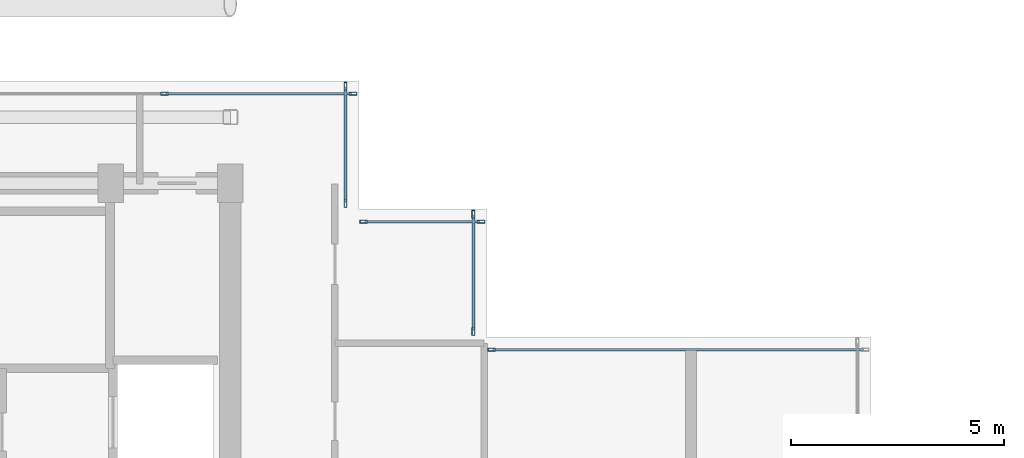
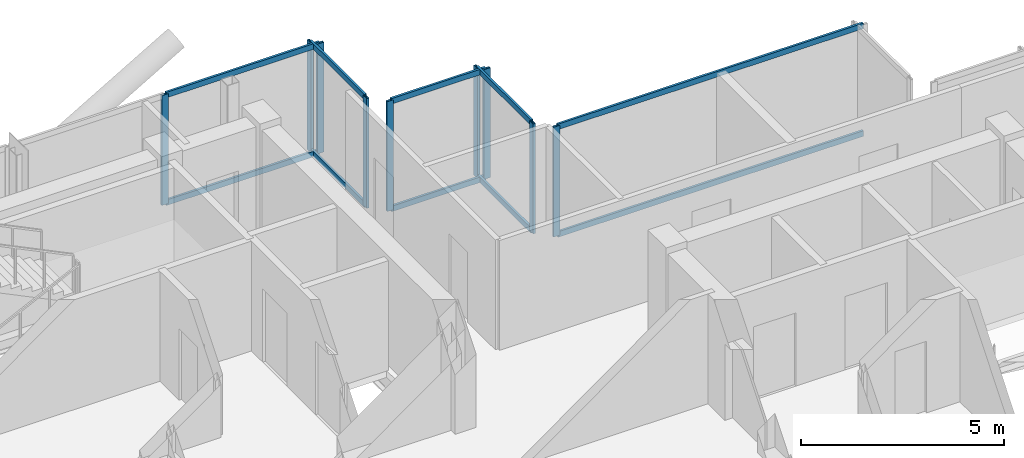
# One storey, part 10 of 18: 19 members, 5 elements without a shape of their own.
"""IFC4 building model written with IfcOpenShell, lengths in metres."""

import ifcopenshell
import ifcopenshell.guid

model = None  # the IFC model being written
_history = None  # IfcOwnerHistory: only IFC2X3 demands one
_inside = {}  # id of a spatial element -> (the spatial element, [elements in it])
_under = {}  # id of a project, library or spatial element -> (it, [spatial elements below it])
_declared = {}  # id of a project -> (the project, [libraries it declares])
_typed = {}  # id of a type object -> (the type object, [elements of that type])
_made_of = {}  # id of a material, layer set ... -> (it, [elements and type objects made of it])


def new_model(schema):
    """Start an empty IFC model of exactly this schema.

    Asked for "IFC4X3", IfcOpenShell would pick the latest addendum, in which some entities
    have other attributes; the version numbers below select the first issue.
    IFC2X3 requires an IfcOwnerHistory on every rooted entity: one is made here for all.
    """
    global model, _history
    if schema == "IFC4X3":
        model = ifcopenshell.file(schema_version=(4, 3, 0, 0))
    else:
        model = ifcopenshell.file(schema=schema)
    _inside.clear()
    _under.clear()
    _declared.clear()
    _typed.clear()
    _made_of.clear()
    _history = None
    if model.schema == "IFC2X3":
        org = make("IfcOrganization", Name="unknown")
        user = make(
            "IfcPersonAndOrganization",
            ThePerson=make("IfcPerson", FamilyName="unknown"),
            TheOrganization=org,
        )
        app = make(
            "IfcApplication",
            ApplicationDeveloper=org,
            Version="unknown",
            ApplicationFullName="unknown",
            ApplicationIdentifier="unknown",
        )
        _history = make(
            "IfcOwnerHistory",
            OwningUser=user,
            OwningApplication=app,
            ChangeAction="ADDED",
            CreationDate=0,
        )
    return model


def make(cls, **values):
    """One entity of the class cls with the attributes given. An attribute that is None is left unset."""
    return model.create_entity(
        cls, **{name: value for name, value in values.items() if value is not None}
    )


def rooted(cls, **values):
    """An entity with a GlobalId (a new one), such as an element, a storey or a relation."""
    return make(cls, GlobalId=ifcopenshell.guid.new(), OwnerHistory=_history, **values)


def si_unit(unit_type, name, prefix=None):
    """IfcSIUnit, for example si_unit("LENGTHUNIT", "METRE", prefix="MILLI")."""
    return make("IfcSIUnit", UnitType=unit_type, Prefix=prefix, Name=name)


def assignment(units):
    """IfcUnitAssignment: the units of a project."""
    return None if units is None else make("IfcUnitAssignment", Units=units)


def point(xyz):
    """IfcCartesianPoint."""
    return None if xyz is None else make("IfcCartesianPoint", Coordinates=xyz)


def direction(xyz):
    """IfcDirection."""
    return None if xyz is None else make("IfcDirection", DirectionRatios=xyz)


def frame(location, z_axis=None, x_axis=None):
    """IfcAxis2Placement3D, a coordinate frame: its origin and axes. An axis left out is left unset."""
    return make(
        "IfcAxis2Placement3D",
        Location=point(location),
        Axis=direction(z_axis),
        RefDirection=direction(x_axis),
    )


def frame_2d(location, x_axis=None):
    """IfcAxis2Placement2D, a coordinate frame in the plane: its origin and x axis."""
    return make(
        "IfcAxis2Placement2D", Location=point(location), RefDirection=direction(x_axis)
    )


def origin():
    """The frame at (0, 0, 0) with its axes left unset."""
    return frame((0.0, 0.0, 0.0))


def origin_2d():
    """The frame at (0, 0) in the plane with its x axis left unset."""
    return frame_2d((0.0, 0.0))


def place(relative_to, where):
    """IfcLocalPlacement: puts the frame where relative to a parent placement (None: the world)."""
    return make(
        "IfcLocalPlacement", PlacementRelTo=relative_to, RelativePlacement=where
    )


def context(
    kind, dimensions, precision=None, world=None, true_north=None, identifier=None
):
    """IfcGeometricRepresentationContext, for example the 3D "Model" context."""
    return make(
        "IfcGeometricRepresentationContext",
        ContextIdentifier=identifier,
        ContextType=kind,
        CoordinateSpaceDimension=dimensions,
        Precision=precision,
        WorldCoordinateSystem=world,
        TrueNorth=true_north,
    )


def subcontext(parent, identifier, kind, view, scale=None):
    """IfcGeometricRepresentationSubContext, for example "Body" below "Model"."""
    return make(
        "IfcGeometricRepresentationSubContext",
        ContextIdentifier=identifier,
        ContextType=kind,
        ParentContext=parent,
        TargetScale=scale,
        TargetView=view,
    )


def project(units=None, contexts=None):
    """IfcProject with its units and contexts."""
    return rooted(
        "IfcProject",
        Name="project",
        RepresentationContexts=contexts,
        UnitsInContext=assignment(units),
    )


def spatial(cls, under=None, at=None, **own):
    """A site, building, storey or space (cls), placed at a placement, below another one or the project."""
    s = rooted(cls, ObjectPlacement=at, **own)
    if under is not None:
        _under.setdefault(under.id(), (under, []))[1].append(s)
    return s


def profile(cls, at=None, kind="AREA", **sizes):
    """A parametric profile (cls). Its sizes go by their IFC names, for example OverallWidth=200.0."""
    return make(cls, ProfileType=kind, Position=at, **sizes)


def hollow_rectangle(**sizes):
    """IfcRectangleHollowProfileDef."""
    return profile("IfcRectangleHollowProfileDef", **sizes)


def extrude(swept, where, along, depth):
    """IfcExtrudedAreaSolid: the profile swept, set in the frame where, extruded along a direction by depth."""
    return make(
        "IfcExtrudedAreaSolid",
        SweptArea=swept,
        Position=where,
        ExtrudedDirection=direction(along),
        Depth=depth,
    )


def shape(context_of_items, identifier, shape_type, items):
    """IfcShapeRepresentation: the items that make up one representation, for example the "Body"."""
    return make(
        "IfcShapeRepresentation",
        ContextOfItems=context_of_items,
        RepresentationIdentifier=identifier,
        RepresentationType=shape_type,
        Items=items,
    )


def material(Name=None, Category=None):
    """IfcMaterial."""
    return make("IfcMaterial", Name=Name, Category=Category)


def layer(
    of_material, thickness, ventilated=None, Name=None, Category=None, Priority=None
):
    """IfcMaterialLayer: one layer of a wall or slab, of a material (None: an air gap)."""
    return make(
        "IfcMaterialLayer",
        Material=of_material,
        LayerThickness=thickness,
        IsVentilated=ventilated,
        Name=Name,
        Category=Category,
        Priority=Priority,
    )


def layer_set(layers, Name=None):
    """IfcMaterialLayerSet."""
    return make("IfcMaterialLayerSet", MaterialLayers=layers, LayerSetName=Name)


def material_profile(
    of_material, cross_section, Name=None, Category=None, Priority=None
):
    """IfcMaterialProfile: a cross section and its material."""
    return make(
        "IfcMaterialProfile",
        Name=Name,
        Material=of_material,
        Profile=cross_section,
        Priority=Priority,
        Category=Category,
    )


def profile_set(profiles, Name=None, composite=None):
    """IfcMaterialProfileSet."""
    return make(
        "IfcMaterialProfileSet",
        Name=Name,
        MaterialProfiles=profiles,
        CompositeProfile=composite,
    )


def made_of(thing, what):
    """Note that an element or type object is made of a material, layer set ...; save() writes the relation."""
    if what is not None:
        _made_of.setdefault(what.id(), (what, []))[1].append(thing)
    return thing


def type_object(cls, material=None, **own):
    """A type object (cls), such as IfcWallType, which elements share."""
    return made_of(rooted(cls, **own), material)


def element(
    cls,
    number,
    at=None,
    inside=None,
    cuts=None,
    type_object=None,
    material=None,
    context=None,
    identifier="Body",
    shape_type=None,
    held_by="IfcProductDefinitionShape",
    body=None,
    shapes=None,
    **own,
):
    """One element of the class cls, such as IfcWall. Its Tag is "e" and its number.

    at: its placement. inside: the storey or other place that contains it. cuts: it is an
    opening in that element (IfcRelVoidsElement). A single representation is given by context,
    identifier, shape_type and body (its items); several are given by shapes. held_by: the class
    of the entity that holds the representations. save() writes the other relations.
    """
    e = rooted(cls, Tag="e%d" % number, ObjectPlacement=at, **own)
    if body is not None:
        shapes = [shape(context, identifier, shape_type, body)]
    if shapes is not None:
        e.Representation = make(held_by, Representations=shapes)
    if inside is not None:
        _inside.setdefault(inside.id(), (inside, []))[1].append(e)
    if cuts is not None:
        rooted(
            "IfcRelVoidsElement", RelatingBuildingElement=cuts, RelatedOpeningElement=e
        )
    if type_object is not None:
        _typed.setdefault(type_object.id(), (type_object, []))[1].append(e)
    return made_of(e, material)


def aggregate(whole, parts):
    """IfcRelAggregates: a whole, such as a stair, and the parts it consists of."""
    return rooted("IfcRelAggregates", RelatingObject=whole, RelatedObjects=parts)


def save(model, path):
    """Write the relations noted so far, then the file.

    IfcRelAggregates (storeys below a building ...), IfcRelContainedInSpatialStructure (elements
    in a storey), IfcRelDefinesByType, IfcRelAssociatesMaterial and IfcRelDeclares: one each for
    every whole, place, type object, material and project.
    """
    for whole, parts in _under.values():
        aggregate(whole, parts)
    for where, things in _inside.values():
        rooted(
            "IfcRelContainedInSpatialStructure",
            RelatedElements=things,
            RelatingStructure=where,
        )
    for kind, things in _typed.values():
        rooted("IfcRelDefinesByType", RelatedObjects=things, RelatingType=kind)
    for what, things in _made_of.values():
        rooted("IfcRelAssociatesMaterial", RelatedObjects=things, RelatingMaterial=what)
    for by, libraries in _declared.values():
        rooted("IfcRelDeclares", RelatingContext=by, RelatedDefinitions=libraries)
    model.write(path)


model = new_model("IFC4")

# Units and contexts
model_context = context("Model", 3, precision=1e-05, world=origin(), true_north=direction((0.0, 1.0)))
body_context = subcontext(model_context, "Body", "Model", "MODEL_VIEW")
ifc_project = project(units=[si_unit("LENGTHUNIT", "METRE"), si_unit("AREAUNIT", "SQUARE_METRE"), si_unit("VOLUMEUNIT", "CUBIC_METRE"), si_unit("PLANEANGLEUNIT", "RADIAN"), si_unit("MASSUNIT", "GRAM", prefix="KILO"), si_unit("THERMODYNAMICTEMPERATUREUNIT", "KELVIN"), si_unit("POWERUNIT", "WATT")], contexts=[model_context])

# Site, building, storey
site_placement = place(None, origin())
site = spatial("IfcSite", under=ifc_project, at=site_placement, CompositionType="ELEMENT")
building_placement = place(site_placement, origin())
building = spatial("IfcBuilding", under=site, at=building_placement, Name="Svarakhadi Broadcast Tower", CompositionType="ELEMENT")
storey_placement = place(building_placement, frame((0.0, 0.0, 288.699951171875)))
storey = spatial("IfcBuildingStorey", under=building, at=storey_placement, Name="L73", CompositionType="ELEMENT", Elevation=288.699951171875)

# Curtain wall, members
ifc_material = material(Name="Anodised Bronze Aluminium AA 6063-T6", Category="aluminium")
ifc_layer = layer(ifc_material, 0.179931640625)
ifc_layer_set = layer_set([ifc_layer], Name="Anodised Bronze Aluminium AA 6063-T6")
curtain_wall_type = type_object("IfcCurtainWallType", Name="CW_Sys_05", PredefinedType="NOTDEFINED", material=ifc_layer_set)
curtain_wall_1_placement = place(storey_placement, origin())
curtain_wall_1 = element("IfcCurtainWall", 1, at=curtain_wall_1_placement, inside=storey, type_object=curtain_wall_type, Name="L73 Unitised Facade Curtain Wall 05", PredefinedType="NOTDEFINED")
ifc_material_profile_1 = material_profile(ifc_material, hollow_rectangle(XDim=0.070068359375, YDim=0.179931640625, WallThickness=0.005615234375, at=origin_2d()), Name="ALU MULLION 180x70x6")
ifc_profile_set_1 = profile_set([ifc_material_profile_1], Name="Anodised Bronze Aluminium AA 6063-T6")
member_type_1 = type_object("IfcMemberType", Name="CW_Sys_05_Mul", PredefinedType="MULLION", material=ifc_profile_set_1)
member_1_placement = place(storey_placement, frame((16.455078125, 29.699951171875, 0.0), z_axis=(0.0, 0.0, 1.0), x_axis=(0.0, 1.0, 0.0)))
member_1 = element("IfcMember", 2, at=member_1_placement, type_object=member_type_1, Name="CW-05 mullion 4", PredefinedType="MULLION", context=body_context, shape_type="SweptSolid", body=[
    extrude(hollow_rectangle(XDim=0.070068359375, YDim=0.179931640625, WallThickness=0.005615234375, at=origin_2d()), origin(), (0.0, 0.0, 1.0), 3.300048828125),
])
member_2_placement = place(storey_placement, frame((20.875, 29.699951171875, 0.0), z_axis=(0.0, 0.0, 1.0), x_axis=(0.0, 1.0, 0.0)))
member_2 = element("IfcMember", 3, at=member_2_placement, type_object=member_type_1, Name="CW-05 mullion 5", PredefinedType="MULLION", context=body_context, shape_type="SweptSolid", body=[
    extrude(hollow_rectangle(XDim=0.070068359375, YDim=0.179931640625, WallThickness=0.005615234375, at=origin_2d()), origin(), (0.0, 0.0, 1.0), 3.300048828125),
])

curtain_wall_2_placement = place(storey_placement, origin())
curtain_wall_2 = element("IfcCurtainWall", 4, at=curtain_wall_2_placement, inside=storey, type_object=curtain_wall_type, Name="L73 Unitised Facade Curtain Wall 06", PredefinedType="NOTDEFINED")
member_3_placement = place(storey_placement, frame((20.699951171875, 29.875, 0.0), z_axis=(0.0, 0.0, 1.0), x_axis=(1.0, 0.0, 0.0)))
member_3 = element("IfcMember", 5, at=member_3_placement, type_object=member_type_1, Name="CW-05 mullion 1", PredefinedType="MULLION", context=body_context, shape_type="SweptSolid", body=[
    extrude(hollow_rectangle(XDim=0.070068359375, YDim=0.179931640625, WallThickness=0.005615234375, at=origin_2d()), origin(), (0.0, 0.0, 1.0), 3.300048828125),
])
member_4_placement = place(storey_placement, frame((20.699951171875, 27.125, 0.0), z_axis=(0.0, 0.0, 1.0), x_axis=(1.0, 0.0, 0.0)))
member_4 = element("IfcMember", 6, at=member_4_placement, type_object=member_type_1, Name="CW-05 mullion 2", PredefinedType="MULLION", context=body_context, shape_type="SweptSolid", body=[
    extrude(hollow_rectangle(XDim=0.070068359375, YDim=0.179931640625, WallThickness=0.005615234375, at=origin_2d()), origin(), (0.0, 0.0, 1.0), 3.300048828125),
])

curtain_wall_3_placement = place(storey_placement, origin())
curtain_wall_3 = element("IfcCurtainWall", 7, at=curtain_wall_3_placement, inside=storey, type_object=curtain_wall_type, Name="L73 Unitised Facade Curtain Wall 07", PredefinedType="NOTDEFINED")
member_5_placement = place(storey_placement, frame((21.125, 26.699951171875, 0.0), z_axis=(0.0, 0.0, 1.0), x_axis=(0.0, 1.0, 0.0)))
member_5 = element("IfcMember", 8, at=member_5_placement, type_object=member_type_1, Name="CW-05 mullion 1", PredefinedType="MULLION", context=body_context, shape_type="SweptSolid", body=[
    extrude(hollow_rectangle(XDim=0.070068359375, YDim=0.179931640625, WallThickness=0.005615234375, at=origin_2d()), origin(), (0.0, 0.0, 1.0), 3.300048828125),
])
member_6_placement = place(storey_placement, frame((23.875, 26.699951171875, 0.0), z_axis=(0.0, 0.0, 1.0), x_axis=(0.0, 1.0, 0.0)))
member_6 = element("IfcMember", 9, at=member_6_placement, type_object=member_type_1, Name="CW-05 mullion 2", PredefinedType="MULLION", context=body_context, shape_type="SweptSolid", body=[
    extrude(hollow_rectangle(XDim=0.070068359375, YDim=0.179931640625, WallThickness=0.005615234375, at=origin_2d()), origin(), (0.0, 0.0, 1.0), 3.300048828125),
])

curtain_wall_4_placement = place(storey_placement, origin())
curtain_wall_4 = element("IfcCurtainWall", 10, at=curtain_wall_4_placement, inside=storey, type_object=curtain_wall_type, Name="L73 Unitised Facade Curtain Wall 08", PredefinedType="NOTDEFINED")
member_7_placement = place(storey_placement, frame((23.699951171875, 26.875, 0.0), z_axis=(0.0, 0.0, 1.0), x_axis=(1.0, 0.0, 0.0)))
member_7 = element("IfcMember", 11, at=member_7_placement, type_object=member_type_1, Name="CW-05 mullion 1", PredefinedType="MULLION", context=body_context, shape_type="SweptSolid", body=[
    extrude(hollow_rectangle(XDim=0.070068359375, YDim=0.179931640625, WallThickness=0.005615234375, at=origin_2d()), origin(), (0.0, 0.0, 1.0), 3.300048828125),
])
member_8_placement = place(storey_placement, frame((23.699951171875, 24.125, 0.0), z_axis=(0.0, 0.0, 1.0), x_axis=(1.0, 0.0, 0.0)))
member_8 = element("IfcMember", 12, at=member_8_placement, type_object=member_type_1, Name="CW-05 mullion 2", PredefinedType="MULLION", context=body_context, shape_type="SweptSolid", body=[
    extrude(hollow_rectangle(XDim=0.070068359375, YDim=0.179931640625, WallThickness=0.005615234375, at=origin_2d()), origin(), (0.0, 0.0, 1.0), 3.300048828125),
])

# Curtain wall, member
curtain_wall_5_placement = place(storey_placement, origin())
curtain_wall_5 = element("IfcCurtainWall", 13, at=curtain_wall_5_placement, inside=storey, type_object=curtain_wall_type, Name="L73 Unitised Facade Curtain Wall 09", PredefinedType="NOTDEFINED")
member_9_placement = place(storey_placement, frame((24.125, 23.699951171875, 0.0), z_axis=(0.0, 0.0, 1.0), x_axis=(0.0, 1.0, 0.0)))
member_9 = element("IfcMember", 14, at=member_9_placement, type_object=member_type_1, Name="CW-05 mullion 1", PredefinedType="MULLION", context=body_context, shape_type="SweptSolid", body=[
    extrude(hollow_rectangle(XDim=0.070068359375, YDim=0.179931640625, WallThickness=0.005615234375, at=origin_2d()), origin(), (0.0, 0.0, 1.0), 3.300048828125),
])

# Member
ifc_material_profile_2 = material_profile(ifc_material, hollow_rectangle(XDim=0.06494140625, YDim=0.1650390625, WallThickness=0.0048828125, at=origin_2d()), Name="ALU TRANSOM 165x65x5")
ifc_profile_set_2 = profile_set([ifc_material_profile_2], Name="Anodised Bronze Aluminium AA 6063-T6")
member_type_2 = type_object("IfcMemberType", Name="CW_Sys_05_Trn", PredefinedType="USERDEFINED", material=ifc_profile_set_2)
member_10_placement = place(storey_placement, frame((16.489990234375, 29.699951171875, 0.032470703125), z_axis=(1.0, 0.0, 0.0), x_axis=(0.0, 1.0, 0.0)))
member_10 = element("IfcMember", 15, at=member_10_placement, type_object=member_type_2, Name="CW-05 transom 4.1", ObjectType="TRANSOM", PredefinedType="USERDEFINED", context=body_context, shape_type="SweptSolid", body=[
    extrude(hollow_rectangle(XDim=0.06494140625, YDim=0.1650390625, WallThickness=0.0048828125, at=origin_2d()), origin(), (0.0, 0.0, 1.0), 4.35009765625),
])

member_11_placement = place(storey_placement, frame((16.489990234375, 29.699951171875, 3.267578125), z_axis=(1.0, 0.0, 0.0), x_axis=(0.0, 1.0, 0.0)))
member_11 = element("IfcMember", 16, at=member_11_placement, type_object=member_type_2, Name="CW-05 transom 4.2", ObjectType="TRANSOM", PredefinedType="USERDEFINED", context=body_context, shape_type="SweptSolid", body=[
    extrude(hollow_rectangle(XDim=0.06494140625, YDim=0.1650390625, WallThickness=0.0048828125, at=origin_2d()), origin(), (0.0, 0.0, 1.0), 4.35009765625),
])

aggregate(curtain_wall_1, [member_1, member_2, member_10, member_11])

member_12_placement = place(storey_placement, frame((20.699951171875, 29.840087890625, 0.032470703125), z_axis=(0.0, -1.0, 0.0), x_axis=(1.0, 0.0, 0.0)))
member_12 = element("IfcMember", 17, at=member_12_placement, type_object=member_type_2, Name="CW-05 transom 1.1", ObjectType="TRANSOM", PredefinedType="USERDEFINED", context=body_context, shape_type="SweptSolid", body=[
    extrude(hollow_rectangle(XDim=0.06494140625, YDim=0.1650390625, WallThickness=0.0048828125, at=origin_2d()), origin(), (0.0, 0.0, 1.0), 2.68017578125),
])

member_13_placement = place(storey_placement, frame((20.699951171875, 29.840087890625, 3.267578125), z_axis=(0.0, -1.0, 0.0), x_axis=(1.0, 0.0, 0.0)))
member_13 = element("IfcMember", 18, at=member_13_placement, type_object=member_type_2, Name="CW-05 transom 1.2", ObjectType="TRANSOM", PredefinedType="USERDEFINED", context=body_context, shape_type="SweptSolid", body=[
    extrude(hollow_rectangle(XDim=0.06494140625, YDim=0.1650390625, WallThickness=0.0048828125, at=origin_2d()), origin(), (0.0, 0.0, 1.0), 2.68017578125),
])

aggregate(curtain_wall_2, [member_3, member_4, member_12, member_13])

member_14_placement = place(storey_placement, frame((21.159912109375, 26.699951171875, 0.032470703125), z_axis=(1.0, 0.0, 0.0), x_axis=(0.0, 1.0, 0.0)))
member_14 = element("IfcMember", 19, at=member_14_placement, type_object=member_type_2, Name="CW-05 transom 1.1", ObjectType="TRANSOM", PredefinedType="USERDEFINED", context=body_context, shape_type="SweptSolid", body=[
    extrude(hollow_rectangle(XDim=0.06494140625, YDim=0.1650390625, WallThickness=0.0048828125, at=origin_2d()), origin(), (0.0, 0.0, 1.0), 2.68017578125),
])

member_15_placement = place(storey_placement, frame((21.159912109375, 26.699951171875, 3.267578125), z_axis=(1.0, 0.0, 0.0), x_axis=(0.0, 1.0, 0.0)))
member_15 = element("IfcMember", 20, at=member_15_placement, type_object=member_type_2, Name="CW-05 transom 1.2", ObjectType="TRANSOM", PredefinedType="USERDEFINED", context=body_context, shape_type="SweptSolid", body=[
    extrude(hollow_rectangle(XDim=0.06494140625, YDim=0.1650390625, WallThickness=0.0048828125, at=origin_2d()), origin(), (0.0, 0.0, 1.0), 2.68017578125),
])

aggregate(curtain_wall_3, [member_5, member_6, member_14, member_15])

member_16_placement = place(storey_placement, frame((23.699951171875, 26.840087890625, 0.032470703125), z_axis=(0.0, -1.0, 0.0), x_axis=(1.0, 0.0, 0.0)))
member_16 = element("IfcMember", 21, at=member_16_placement, type_object=member_type_2, Name="CW-05 transom 1.1", ObjectType="TRANSOM", PredefinedType="USERDEFINED", context=body_context, shape_type="SweptSolid", body=[
    extrude(hollow_rectangle(XDim=0.06494140625, YDim=0.1650390625, WallThickness=0.0048828125, at=origin_2d()), origin(), (0.0, 0.0, 1.0), 2.68017578125),
])

member_17_placement = place(storey_placement, frame((23.699951171875, 26.840087890625, 3.267578125), z_axis=(0.0, -1.0, 0.0), x_axis=(1.0, 0.0, 0.0)))
member_17 = element("IfcMember", 22, at=member_17_placement, type_object=member_type_2, Name="CW-05 transom 1.2", ObjectType="TRANSOM", PredefinedType="USERDEFINED", context=body_context, shape_type="SweptSolid", body=[
    extrude(hollow_rectangle(XDim=0.06494140625, YDim=0.1650390625, WallThickness=0.0048828125, at=origin_2d()), origin(), (0.0, 0.0, 1.0), 2.68017578125),
])

aggregate(curtain_wall_4, [member_7, member_8, member_16, member_17])

member_18_placement = place(storey_placement, frame((24.159912109375, 23.699951171875, 0.032470703125), z_axis=(1.0, 0.0, 0.0), x_axis=(0.0, 1.0, 0.0)))
member_18 = element("IfcMember", 23, at=member_18_placement, type_object=member_type_2, Name="CW-05 transom 1.1", ObjectType="TRANSOM", PredefinedType="USERDEFINED", context=body_context, shape_type="SweptSolid", body=[
    extrude(hollow_rectangle(XDim=0.06494140625, YDim=0.1650390625, WallThickness=0.0048828125, at=origin_2d()), origin(), (0.0, 0.0, 1.0), 8.68017578125),
])

member_19_placement = place(storey_placement, frame((24.159912109375, 23.699951171875, 3.267578125), z_axis=(1.0, 0.0, 0.0), x_axis=(0.0, 1.0, 0.0)))
member_19 = element("IfcMember", 24, at=member_19_placement, type_object=member_type_2, Name="CW-05 transom 1.2", ObjectType="TRANSOM", PredefinedType="USERDEFINED", context=body_context, shape_type="SweptSolid", body=[
    extrude(hollow_rectangle(XDim=0.06494140625, YDim=0.1650390625, WallThickness=0.0048828125, at=origin_2d()), origin(), (0.0, 0.0, 1.0), 8.68017578125),
])

aggregate(curtain_wall_5, [member_9, member_18, member_19])

save(model, "model.ifc")
